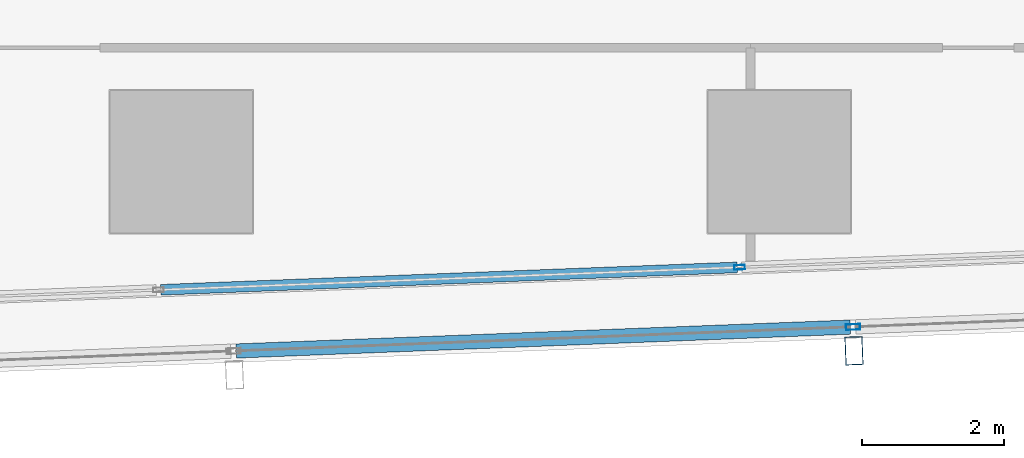
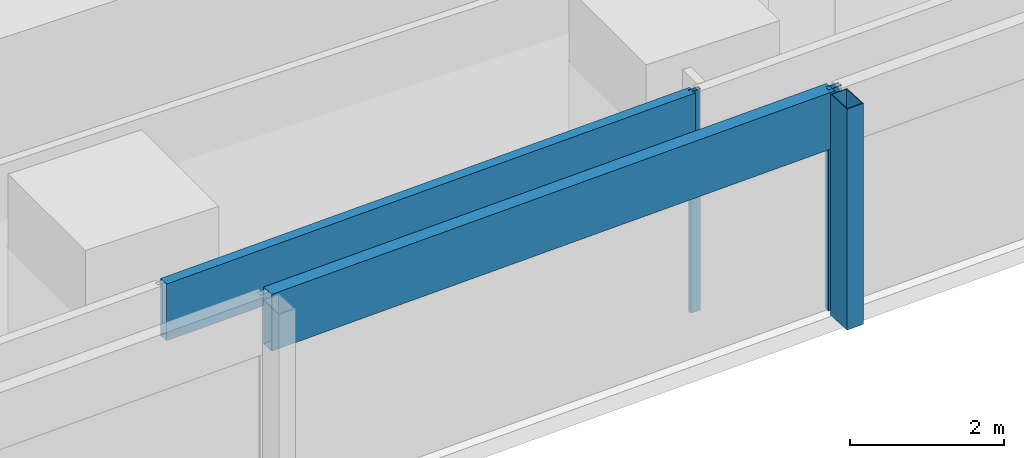
# One storey, part 7 of 36: 5 members, 2 elements without a shape of their own.
"""IFC4 building model written with IfcOpenShell, lengths in metres."""

from ifc_helpers import new_model, si_unit, direction, frame, origin, origin_2d, place, context, subcontext, project, spatial, hollow_rectangle, extrude, material, material_profile, profile_set, type_object, element, aggregate, save


model = new_model("IFC4")

# Units and contexts
model_context = context("Model", 3, precision=1e-05, world=origin(), true_north=direction((0.0, 1.0)))
body_context = subcontext(model_context, "Body", "Model", "MODEL_VIEW")
ifc_project = project(units=[si_unit("LENGTHUNIT", "METRE"), si_unit("AREAUNIT", "SQUARE_METRE"), si_unit("VOLUMEUNIT", "CUBIC_METRE"), si_unit("PLANEANGLEUNIT", "RADIAN"), si_unit("MASSUNIT", "GRAM", prefix="KILO")], contexts=[model_context])

# Site, building, storey
site_placement = place(None, origin())
site = spatial("IfcSite", under=ifc_project, at=site_placement, CompositionType="ELEMENT")
building_placement = place(site_placement, origin())
building = spatial("IfcBuilding", under=site, at=building_placement, Name="Rekha Terrace Tower", CompositionType="ELEMENT")
storey_placement = place(building_placement, frame((0.0, 0.0, 144.050048828125)))
storey = spatial("IfcBuildingStorey", under=building, at=storey_placement, Name="L36", CompositionType="ELEMENT", Elevation=144.050048828125)

# Curtain wall, member
ifc_material_1 = material(Name="Aluminium framing", Category="aluminium")
curtain_wall_type_1 = type_object("IfcCurtainWallType", Name="CW2 double skin outer glazing", PredefinedType="USERDEFINED", material=ifc_material_1)
curtain_wall_1_placement = place(storey_placement, origin())
curtain_wall_1 = element("IfcCurtainWall", 1, at=curtain_wall_1_placement, inside=storey, type_object=curtain_wall_type_1, Name="CW2 double skin outer glazing", ObjectType="DOUBLE SKIN OUTER GLAZING", PredefinedType="USERDEFINED")
ifc_material_2 = material(Name="Steel S355 with fluorocarbon finish", Category="steel")
ifc_material_profile_1 = material_profile(ifc_material_2, hollow_rectangle(XDim=0.25, YDim=0.39990234375, WallThickness=0.012451171875, at=origin_2d()), Name="RHS400x250x12.5")
ifc_profile_set_1 = profile_set([ifc_material_profile_1], Name="Steel S355 with fluorocarbon finish")
member_type_1 = type_object("IfcMemberType", Name="BL1 facade blade RHS 400 x 250", PredefinedType="USERDEFINED", material=ifc_profile_set_1)
member_1_placement = place(storey_placement, frame((51.4521484375, 14.141845703125, 0.0), z_axis=(0.0, 0.0, 1.0), x_axis=(0.999243494356, 0.038890088543, 0.0)))
member_1 = element("IfcMember", 2, at=member_1_placement, type_object=member_type_1, Name="Facade blade", ObjectType="FACADE BLADE", PredefinedType="USERDEFINED", context=body_context, shape_type="SweptSolid", body=[
    extrude(hollow_rectangle(XDim=0.25, YDim=0.39990234375, WallThickness=0.012451171875, at=origin_2d()), origin(), (0.0, 0.0, 1.0), 3.5),
])

# Curtain wall, members
curtain_wall_type_2 = type_object("IfcCurtainWallType", Name="CW1 double skin inner glazing", PredefinedType="USERDEFINED", material=ifc_material_1)
curtain_wall_2_placement = place(storey_placement, origin())
curtain_wall_2 = element("IfcCurtainWall", 3, at=curtain_wall_2_placement, inside=storey, type_object=curtain_wall_type_2, Name="CW1 double skin inner glazing", ObjectType="DOUBLE SKIN INNER GLAZING", PredefinedType="USERDEFINED")
ifc_material_3 = material(Name="Aluminium mullion section", Category="aluminium")
ifc_material_profile_2 = material_profile(ifc_material_3, hollow_rectangle(XDim=0.06494140625, YDim=0.14990234375, WallThickness=0.00390625, at=origin_2d()), Name="AL RHS 65x150")
ifc_profile_set_2 = profile_set([ifc_material_profile_2], Name="Aluminium mullion section")
member_type_2 = type_object("IfcMemberType", Name="CW1 mullion RHS 65 x 150", PredefinedType="MULLION", material=ifc_profile_set_2)
member_2_placement = place(storey_placement, frame((49.8447265625, 15.315185546875, 0.0), z_axis=(0.0, 0.0, 1.0), x_axis=(-0.038889971328, 0.999243498918, 0.0)))
member_2 = element("IfcMember", 4, at=member_2_placement, type_object=member_type_2, Name="CW1 mullion 4", PredefinedType="MULLION", context=body_context, shape_type="SweptSolid", body=[
    extrude(hollow_rectangle(XDim=0.06494140625, YDim=0.14990234375, WallThickness=0.00390625, at=origin_2d()), origin(), (0.0, 0.0, 1.0), 3.5),
])
ifc_material_4 = material(Name="Insulated aluminium spandrel box", Category="aluminium")
ifc_material_profile_3 = material_profile(ifc_material_4, hollow_rectangle(XDim=0.14990234375, YDim=0.89990234375, WallThickness=0.0029296875, at=origin_2d()), Name="AL SPANDREL BOX 150x900")
ifc_profile_set_3 = profile_set([ifc_material_profile_3], Name="Insulated aluminium spandrel box")
member_type_3 = type_object("IfcMemberType", Name="CW1 spandrel transom 150 x 900", PredefinedType="USERDEFINED", material=ifc_profile_set_3)
member_3_placement = place(storey_placement, frame((41.71142578125, 14.998779296875, 3.050048828125), z_axis=(0.999243949495, 0.038878392417, 0.0), x_axis=(-0.038878392417, 0.999243949495, 0.0)))
member_3 = element("IfcMember", 5, at=member_3_placement, type_object=member_type_3, Name="CW1 spandrel transom 3", ObjectType="TRANSOM", PredefinedType="USERDEFINED", context=body_context, shape_type="SweptSolid", body=[
    extrude(hollow_rectangle(XDim=0.14990234375, YDim=0.89990234375, WallThickness=0.0029296875, at=origin_2d()), origin(), (0.0, 0.0, 1.0), 8.10693359375),
])
aggregate(curtain_wall_2, [member_2, member_3])

# Member
ifc_material_profile_4 = material_profile(ifc_material_3, hollow_rectangle(XDim=0.080078125, YDim=0.199951171875, WallThickness=0.00390625, at=origin_2d()), Name="AL RHS 80x200")
ifc_profile_set_4 = profile_set([ifc_material_profile_4], Name="Aluminium mullion section")
member_type_4 = type_object("IfcMemberType", Name="CW2 mullion RHS 80 x 200", PredefinedType="MULLION", material=ifc_profile_set_4)
member_4_placement = place(storey_placement, frame((51.439208984375, 14.4765625, 0.0), z_axis=(0.0, 0.0, 1.0), x_axis=(-0.038889971345, 0.999243498917, 0.0)))
member_4 = element("IfcMember", 6, at=member_4_placement, type_object=member_type_4, Name="CW2 mullion 4", PredefinedType="MULLION", context=body_context, shape_type="SweptSolid", body=[
    extrude(hollow_rectangle(XDim=0.080078125, YDim=0.199951171875, WallThickness=0.00390625, at=origin_2d()), origin(), (0.0, 0.0, 1.0), 3.5),
])

ifc_material_profile_5 = material_profile(ifc_material_4, hollow_rectangle(XDim=0.199951171875, YDim=0.89990234375, WallThickness=0.0029296875, at=origin_2d()), Name="AL SPANDREL BOX 200x900")
ifc_profile_set_5 = profile_set([ifc_material_profile_5], Name="Insulated aluminium spandrel box")
member_type_5 = type_object("IfcMemberType", Name="CW2 spandrel transom 200 x 900", PredefinedType="USERDEFINED", material=ifc_profile_set_5)
member_5_placement = place(storey_placement, frame((42.774169921875, 14.139404296875, 3.050048828125), z_axis=(0.999243438523, 0.038891523097, 0.0), x_axis=(-0.038891523097, 0.999243438523, 0.0)))
member_5 = element("IfcMember", 7, at=member_5_placement, type_object=member_type_5, Name="CW2 spandrel transom 3", ObjectType="TRANSOM", PredefinedType="USERDEFINED", context=body_context, shape_type="SweptSolid", body=[
    extrude(hollow_rectangle(XDim=0.199951171875, YDim=0.89990234375, WallThickness=0.0029296875, at=origin_2d()), origin(), (0.0, 0.0, 1.0), 8.631591796875),
])

aggregate(curtain_wall_1, [member_4, member_5, member_1])

save(model, "model.ifc")
